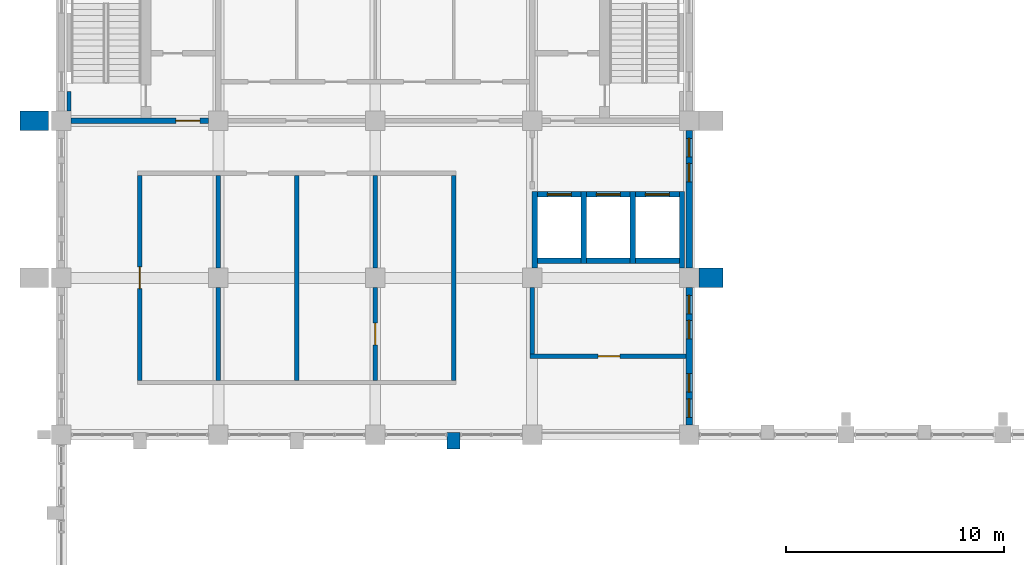
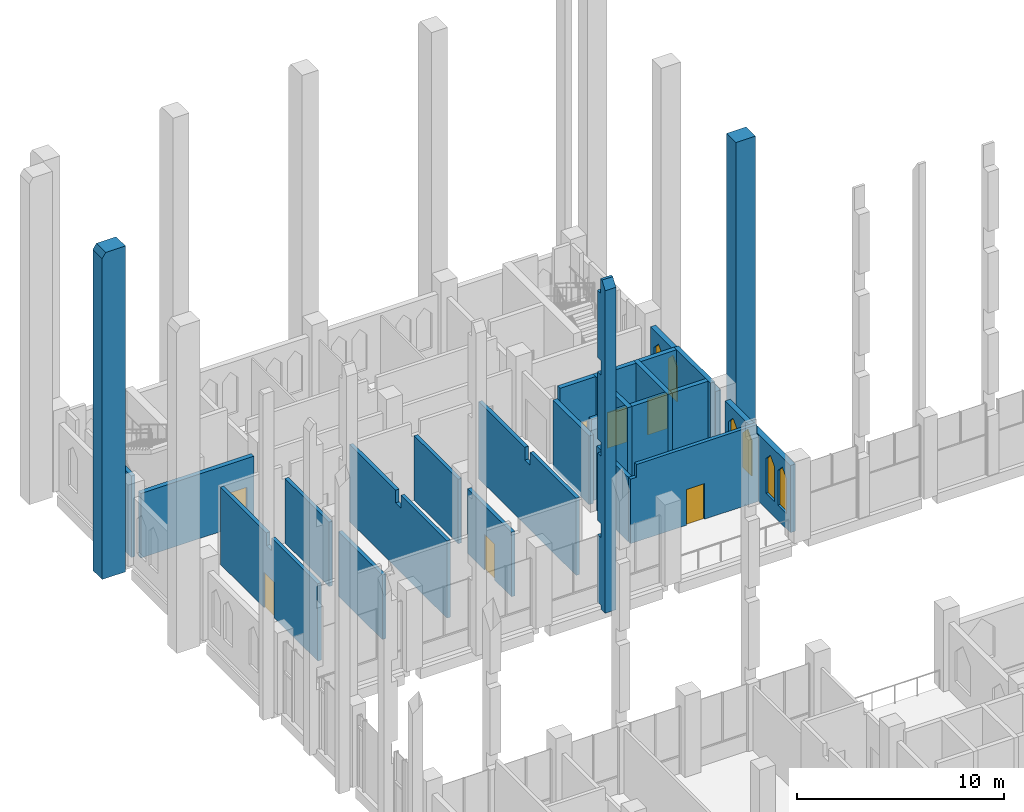
# One storey, part 31 of 40: 26 walls, 7 doors, 6 windows, 13 openings.
"""IFC4 building model written with IfcOpenShell, lengths in metres."""

from ifc_helpers import new_model, si_unit, direction, frame, frame_2d, origin, place, context, subcontext, project, spatial, polyline, rectangle, outline, extrude, material, layer, layer_set, type_object, element, fill, save


model = new_model("IFC4")

# Units and contexts
model_context = context("Model", 3, precision=1e-05, world=origin(), true_north=direction((0.0, 1.0)))
body_context = subcontext(model_context, "Body", "Model", "MODEL_VIEW")
ifc_project = project(units=[si_unit("LENGTHUNIT", "METRE"), si_unit("AREAUNIT", "SQUARE_METRE"), si_unit("VOLUMEUNIT", "CUBIC_METRE"), si_unit("PLANEANGLEUNIT", "RADIAN"), si_unit("MASSUNIT", "GRAM", prefix="KILO")], contexts=[model_context])

# Site, building, storey
site_placement = place(None, origin())
site = spatial("IfcSite", under=ifc_project, at=site_placement, CompositionType="ELEMENT")
building_placement = place(site_placement, origin())
building = spatial("IfcBuilding", under=site, at=building_placement, Name="Silangan Lancet Faculty of Sciences", CompositionType="ELEMENT")
storey_placement = place(building_placement, frame((0.0, 0.0, 21.60009765625)))
storey = spatial("IfcBuildingStorey", under=building, at=storey_placement, Name="L04", CompositionType="ELEMENT", Elevation=21.60009765625)

# Wall, openings, windows
ifc_material_1 = material(Name="Concrete C40/50 precast", Category="concrete")
ifc_layer_1 = layer(ifc_material_1, 0.300048828125)
ifc_layer_set_1 = layer_set([ifc_layer_1], Name="Concrete C40/50 precast")
wall_type_1 = type_object("IfcWallType", Name="EW1 Precast cladding wall", PredefinedType="STANDARD", material=ifc_layer_set_1)
wall_1_placement = place(storey_placement, frame((28.800048828125, 36.449951171875, 0.0), z_axis=(0.0, 0.0, 1.0), x_axis=(0.0, 1.0, 0.0)))
wall_1 = element("IfcWall", 1, at=wall_1_placement, inside=storey, type_object=wall_type_1, Name="EW-L04-E-NT-00", PredefinedType="STANDARD", context=body_context, shape_type="SweptSolid", body=[
    extrude(rectangle(XDim=6.300048828125, YDim=0.300048828125, at=frame_2d((3.14990234375, 0.0))), origin(), (0.0, 0.0, 1.0), 3.949951171875),
])
opening_1_placement = place(wall_1_placement, frame((0.35009765625, 0.0, 0.89990234375)))
opening_1 = element("IfcOpeningElement", 2, at=opening_1_placement, cuts=wall_1, Name="Opening W14", PredefinedType="OPENING", context=body_context, shape_type="SweptSolid", body=[
    extrude(outline(polyline([(0.0, 0.0), (0.85009765625, 0.0), (0.85009765625, 2.050048828125), (0.425048828125, 2.5), (0.0, 2.050048828125), (0.0, 0.0)])), frame((0.0, 0.159912109375, 0.0), z_axis=(0.0, -1.0, 0.0), x_axis=(1.0, 0.0, 0.0)), (0.0, 0.0, 1.0), 0.320068359375),
])
opening_2_placement = place(wall_1_placement, frame((1.5, 0.0, 0.89990234375)))
opening_2 = element("IfcOpeningElement", 3, at=opening_2_placement, cuts=wall_1, Name="Opening W14", PredefinedType="OPENING", context=body_context, shape_type="SweptSolid", body=[
    extrude(outline(polyline([(0.0, 0.0), (0.85009765625, 0.0), (0.85009765625, 2.050048828125), (0.425048828125, 2.5), (0.0, 2.050048828125), (0.0, 0.0)])), frame((0.0, 0.159912109375, 0.0), z_axis=(0.0, -1.0, 0.0), x_axis=(1.0, 0.0, 0.0)), (0.0, 0.0, 1.0), 0.320068359375),
])
opening_3_placement = place(wall_1_placement, frame((3.949951171875, 0.0, 0.89990234375)))
opening_3 = element("IfcOpeningElement", 4, at=opening_3_placement, cuts=wall_1, Name="Opening W14", PredefinedType="OPENING", context=body_context, shape_type="SweptSolid", body=[
    extrude(outline(polyline([(0.0, 0.0), (0.85009765625, 0.0), (0.85009765625, 2.050048828125), (0.425048828125, 2.5), (0.0, 2.050048828125), (0.0, 0.0)])), frame((0.0, 0.159912109375, 0.0), z_axis=(0.0, -1.0, 0.0), x_axis=(1.0, 0.0, 0.0)), (0.0, 0.0, 1.0), 0.320068359375),
])
opening_4_placement = place(wall_1_placement, frame((5.10009765625, 0.0, 0.89990234375)))
opening_4 = element("IfcOpeningElement", 5, at=opening_4_placement, cuts=wall_1, Name="Opening W14", PredefinedType="OPENING", context=body_context, shape_type="SweptSolid", body=[
    extrude(outline(polyline([(0.0, 0.0), (0.85009765625, 0.0), (0.85009765625, 2.050048828125), (0.425048828125, 2.5), (0.0, 2.050048828125), (0.0, 0.0)])), frame((0.0, 0.159912109375, 0.0), z_axis=(0.0, -1.0, 0.0), x_axis=(1.0, 0.0, 0.0)), (0.0, 0.0, 1.0), 0.320068359375),
])
ifc_material_2 = material(Name="Aluminium frame, laminated double glazing", Category="aluminium")
window_type = type_object("IfcWindowType", Name="W14 Lancet window 850 x 2500", PartitioningType="SINGLE_PANEL", PredefinedType="WINDOW", material=ifc_material_2)
window_1_placement = place(opening_1_placement, origin())
window_1 = element("IfcWindow", 6, at=window_1_placement, inside=storey, type_object=window_type, Name="WIN-L04-E-NT-00a1", OverallHeight=2.5, OverallWidth=0.85009765625, PartitioningType="SINGLE_PANEL", PredefinedType="WINDOW", context=body_context, shape_type="SweptSolid", body=[
    extrude(outline(polyline([(0.0, 0.0), (0.85009765625, 0.0), (0.85009765625, 2.050048828125), (0.425048828125, 2.5), (0.0, 2.050048828125), (0.0, 0.0)])), frame((0.0, 0.030029296875, 0.0), z_axis=(0.0, -1.0, 0.0), x_axis=(1.0, 0.0, 0.0)), (0.0, 0.0, 1.0), 0.06005859375),
])
fill(opening_1, window_1)
window_2_placement = place(opening_2_placement, origin())
window_2 = element("IfcWindow", 7, at=window_2_placement, inside=storey, type_object=window_type, Name="WIN-L04-E-NT-00a2", OverallHeight=2.5, OverallWidth=0.85009765625, PartitioningType="SINGLE_PANEL", PredefinedType="WINDOW", context=body_context, shape_type="SweptSolid", body=[
    extrude(outline(polyline([(0.0, 0.0), (0.85009765625, 0.0), (0.85009765625, 2.050048828125), (0.425048828125, 2.5), (0.0, 2.050048828125), (0.0, 0.0)])), frame((0.0, 0.030029296875, 0.0), z_axis=(0.0, -1.0, 0.0), x_axis=(1.0, 0.0, 0.0)), (0.0, 0.0, 1.0), 0.06005859375),
])
fill(opening_2, window_2)
window_3_placement = place(opening_3_placement, origin())
window_3 = element("IfcWindow", 8, at=window_3_placement, inside=storey, type_object=window_type, Name="WIN-L04-E-NT-00b1", OverallHeight=2.5, OverallWidth=0.85009765625, PartitioningType="SINGLE_PANEL", PredefinedType="WINDOW", context=body_context, shape_type="SweptSolid", body=[
    extrude(outline(polyline([(0.0, 0.0), (0.85009765625, 0.0), (0.85009765625, 2.050048828125), (0.425048828125, 2.5), (0.0, 2.050048828125), (0.0, 0.0)])), frame((0.0, 0.030029296875, 0.0), z_axis=(0.0, -1.0, 0.0), x_axis=(1.0, 0.0, 0.0)), (0.0, 0.0, 1.0), 0.06005859375),
])
fill(opening_3, window_3)
window_4_placement = place(opening_4_placement, origin())
window_4 = element("IfcWindow", 9, at=window_4_placement, inside=storey, type_object=window_type, Name="WIN-L04-E-NT-00b2", OverallHeight=2.5, OverallWidth=0.85009765625, PartitioningType="SINGLE_PANEL", PredefinedType="WINDOW", context=body_context, shape_type="SweptSolid", body=[
    extrude(outline(polyline([(0.0, 0.0), (0.85009765625, 0.0), (0.85009765625, 2.050048828125), (0.425048828125, 2.5), (0.0, 2.050048828125), (0.0, 0.0)])), frame((0.0, 0.030029296875, 0.0), z_axis=(0.0, -1.0, 0.0), x_axis=(1.0, 0.0, 0.0)), (0.0, 0.0, 1.0), 0.06005859375),
])
fill(opening_4, window_4)

wall_2_placement = place(storey_placement, frame((28.800048828125, 43.64990234375, 0.0), z_axis=(0.0, 0.0, 1.0), x_axis=(0.0, 1.0, 0.0)))
wall_2 = element("IfcWall", 10, at=wall_2_placement, inside=storey, type_object=wall_type_1, Name="EW-L04-E-NT-01", PredefinedType="STANDARD", context=body_context, shape_type="SweptSolid", body=[
    extrude(rectangle(XDim=6.300048828125, YDim=0.300048828125, at=frame_2d((3.14990234375, 0.0))), origin(), (0.0, 0.0, 1.0), 3.949951171875),
])
opening_5_placement = place(wall_2_placement, frame((3.949951171875, 0.0, 0.89990234375)))
opening_5 = element("IfcOpeningElement", 11, at=opening_5_placement, cuts=wall_2, Name="Opening W14", PredefinedType="OPENING", context=body_context, shape_type="SweptSolid", body=[
    extrude(outline(polyline([(0.0, 0.0), (0.85009765625, 0.0), (0.85009765625, 2.050048828125), (0.425048828125, 2.5), (0.0, 2.050048828125), (0.0, 0.0)])), frame((0.0, 0.159912109375, 0.0), z_axis=(0.0, -1.0, 0.0), x_axis=(1.0, 0.0, 0.0)), (0.0, 0.0, 1.0), 0.320068359375),
])
opening_6_placement = place(wall_2_placement, frame((5.10009765625, 0.0, 0.89990234375)))
opening_6 = element("IfcOpeningElement", 12, at=opening_6_placement, cuts=wall_2, Name="Opening W14", PredefinedType="OPENING", context=body_context, shape_type="SweptSolid", body=[
    extrude(outline(polyline([(0.0, 0.0), (0.85009765625, 0.0), (0.85009765625, 2.050048828125), (0.425048828125, 2.5), (0.0, 2.050048828125), (0.0, 0.0)])), frame((0.0, 0.159912109375, 0.0), z_axis=(0.0, -1.0, 0.0), x_axis=(1.0, 0.0, 0.0)), (0.0, 0.0, 1.0), 0.320068359375),
])
window_5_placement = place(opening_5_placement, origin())
window_5 = element("IfcWindow", 13, at=window_5_placement, inside=storey, type_object=window_type, Name="WIN-L04-E-NT-01b1", OverallHeight=2.5, OverallWidth=0.85009765625, PartitioningType="SINGLE_PANEL", PredefinedType="WINDOW", context=body_context, shape_type="SweptSolid", body=[
    extrude(outline(polyline([(0.0, 0.0), (0.85009765625, 0.0), (0.85009765625, 2.050048828125), (0.425048828125, 2.5), (0.0, 2.050048828125), (0.0, 0.0)])), frame((0.0, 0.030029296875, 0.0), z_axis=(0.0, -1.0, 0.0), x_axis=(1.0, 0.0, 0.0)), (0.0, 0.0, 1.0), 0.06005859375),
])
fill(opening_5, window_5)
window_6_placement = place(opening_6_placement, origin())
window_6 = element("IfcWindow", 14, at=window_6_placement, inside=storey, type_object=window_type, Name="WIN-L04-E-NT-01b2", OverallHeight=2.5, OverallWidth=0.85009765625, PartitioningType="SINGLE_PANEL", PredefinedType="WINDOW", context=body_context, shape_type="SweptSolid", body=[
    extrude(outline(polyline([(0.0, 0.0), (0.85009765625, 0.0), (0.85009765625, 2.050048828125), (0.425048828125, 2.5), (0.0, 2.050048828125), (0.0, 0.0)])), frame((0.0, 0.030029296875, 0.0), z_axis=(0.0, -1.0, 0.0), x_axis=(1.0, 0.0, 0.0)), (0.0, 0.0, 1.0), 0.06005859375),
])
fill(opening_6, window_6)

# Walls
ifc_material_3 = material(Name="Concrete C40/50 precast", Category="concrete")
ifc_layer_2 = layer(ifc_material_3, 0.89990234375)
ifc_layer_set_2 = layer_set([ifc_layer_2], Name="Concrete C40/50 precast")
wall_type_2 = type_object("IfcWallType", Name="FN26 Buttress Fin column line stage 2 19200", PredefinedType="POLYGONAL", material=ifc_layer_set_2)
wall_3_placement = place(storey_placement, frame((-0.60009765625, 50.39990234375, -0.25), z_axis=(0.0, 0.0, 1.0), x_axis=(-1.0, 0.0, 0.0)))
element("IfcWall", 15, at=wall_3_placement, inside=storey, type_object=wall_type_2, Name="FINC-W-NT-02-S2", PredefinedType="POLYGONAL", context=body_context, shape_type="SweptSolid", body=[
    extrude(outline(polyline([(1.300048828125, 0.0), (1.300048828125, 18.89990234375), (1.10009765625, 19.199951171875), (0.0, 19.199951171875), (0.0, 0.0), (1.300048828125, 0.0)])), frame((0.0, 0.449951171875, 0.0), z_axis=(0.0, -1.0, 0.0), x_axis=(1.0, 0.0, 0.0)), (0.0, 0.0, 1.0), 0.89990234375),
])
ifc_material_4 = material(Name="Concrete C40/50 precast", Category="concrete")
ifc_layer_3 = layer(ifc_material_4, 0.60009765625)
ifc_layer_set_3 = layer_set([ifc_layer_3], Name="Concrete C40/50 precast")
wall_type_3 = type_object("IfcWallType", Name="FN4 Buttress Fin mid-bay stage 2 19450", PredefinedType="POLYGONAL", material=ifc_layer_set_3)
wall_4_placement = place(storey_placement, frame((18.0, 36.10009765625, -0.25), z_axis=(0.0, 0.0, 1.0), x_axis=(0.0, -1.0, 0.0)))
element("IfcWall", 16, at=wall_4_placement, inside=storey, type_object=wall_type_3, Name="FIN-ATR-NT-5-S2", PredefinedType="POLYGONAL", context=body_context, shape_type="SweptSolid", body=[
    extrude(outline(polyline([(0.75, 0.0), (0.75, 19.0), (0.449951171875, 19.449951171875), (0.300048828125, 19.449951171875), (0.300048828125, 18.599853515625), (0.0, 18.599853515625), (0.0, 14.64990234375), (0.35009765625, 14.64990234375), (0.35009765625, 13.7998046875), (0.0, 13.7998046875), (0.0, 9.849853515625), (0.35009765625, 9.849853515625), (0.35009765625, 9.0), (0.0, 9.0), (0.0, 5.0498046875), (0.35009765625, 5.0498046875), (0.35009765625, 4.199951171875), (0.0, 4.199951171875), (0.0, 0.25), (0.35009765625, 0.25), (0.35009765625, 0.0), (0.75, 0.0)])), frame((0.0, 0.300048828125, 0.0), z_axis=(0.0, -1.0, 0.0), x_axis=(1.0, 0.0, 0.0)), (0.0, 0.0, 1.0), 0.60009765625),
])
ifc_material_5 = material(Name="Concrete C40/50 precast", Category="concrete")
ifc_layer_4 = layer(ifc_material_5, 0.89990234375)
ifc_layer_set_4 = layer_set([ifc_layer_4], Name="Concrete C40/50 precast")
wall_type_4 = type_object("IfcWallType", Name="FN47 Buttress Fin column line stage 2 19200", PredefinedType="POLYGONAL", material=ifc_layer_set_4)
wall_5_placement = place(storey_placement, frame((29.25, 43.199951171875, -0.25), z_axis=(0.0, 0.0, 1.0), x_axis=(1.0, 0.0, 0.0)))
element("IfcWall", 17, at=wall_5_placement, inside=storey, type_object=wall_type_4, Name="FINC-E-NT-02-S2", PredefinedType="POLYGONAL", context=body_context, shape_type="SweptSolid", body=[
    extrude(outline(polyline([(1.10009765625, 0.0), (1.10009765625, 19.199951171875), (0.0, 19.199951171875), (0.0, 0.0), (1.10009765625, 0.0)])), frame((0.0, 0.449951171875, 0.0), z_axis=(0.0, -1.0, 0.0), x_axis=(1.0, 0.0, 0.0)), (0.0, 0.0, 1.0), 0.89990234375),
])

# Wall, opening, door
ifc_material_6 = material(Name="Hollow block masonry fm 7 MPa", Category="masonry")
ifc_layer_5 = layer(ifc_material_6, 0.199951171875)
ifc_layer_set_5 = layer_set([ifc_layer_5], Name="Hollow block masonry fm 7 MPa")
wall_type_5 = type_object("IfcWallType", Name="Interior wall PW1 Corridor wall CHB 200", PredefinedType="PARTITIONING", material=ifc_layer_set_5)
wall_6_placement = place(storey_placement, frame((21.5, 39.60009765625, 0.0), z_axis=(0.0, 0.0, 1.0), x_axis=(1.0, 0.0, 0.0)))
wall_6 = element("IfcWall", 18, at=wall_6_placement, inside=storey, type_object=wall_type_5, Name="Corridor wall CHB 200", PredefinedType="PARTITIONING", context=body_context, shape_type="SweptSolid", body=[
    extrude(outline(polyline([(0.0, 0.0), (7.14990234375, 0.0), (7.14990234375, 3.949951171875), (7.050048828125, 3.949951171875), (7.050048828125, 4.5498046875), (0.35009765625, 4.5498046875), (0.35009765625, 3.7998046875), (0.0, 3.7998046875), (0.0, 0.0)])), frame((0.0, 0.10009765625, 0.0), z_axis=(0.0, -1.0, 0.0), x_axis=(1.0, 0.0, 0.0)), (0.0, 0.0, 1.0), 0.199951171875),
])
opening_7_placement = place(wall_6_placement, frame((3.125, 0.0, 0.0)))
opening_7 = element("IfcOpeningElement", 19, at=opening_7_placement, cuts=wall_6, Name="Opening L04-029", PredefinedType="OPENING", context=body_context, shape_type="SweptSolid", body=[
    extrude(rectangle(XDim=1.0, YDim=2.10009765625, at=frame_2d((0.5, 1.050048828125))), frame((0.0, 0.10986328125, 0.0), z_axis=(0.0, -1.0, 0.0), x_axis=(1.0, 0.0, 0.0)), (0.0, 0.0, 1.0), 0.219970703125),
])
ifc_material_7 = material(Name="Steel fire door set", Category="steel")
door_type_1 = type_object("IfcDoorType", Name="Door D1 Single leaf fire door 1000 x 2100", OperationType="SINGLE_SWING_LEFT", PredefinedType="DOOR", material=ifc_material_7)
door_1_placement = place(opening_7_placement, origin())
door_1 = element("IfcDoor", 20, at=door_1_placement, inside=storey, type_object=door_type_1, Name="Single leaf fire door 1000 x 2100", OperationType="SINGLE_SWING_LEFT", OverallHeight=2.10009765625, OverallWidth=1.0, PredefinedType="DOOR", context=body_context, shape_type="SweptSolid", body=[
    extrude(rectangle(XDim=1.0, YDim=2.10009765625, at=frame_2d((0.5, 1.050048828125))), frame((0.0, 0.02490234375, 0.0), z_axis=(0.0, -1.0, 0.0), x_axis=(1.0, 0.0, 0.0)), (0.0, 0.0, 1.0), 0.050048828125),
])
fill(opening_7, door_1)

wall_7_placement = place(storey_placement, frame((3.60009765625, 38.5, 0.0), z_axis=(0.0, 0.0, 1.0), x_axis=(0.0, 1.0, 0.0)))
wall_7 = element("IfcWall", 21, at=wall_7_placement, inside=storey, type_object=wall_type_5, Name="Corridor wall CHB 200", PredefinedType="PARTITIONING", context=body_context, shape_type="SweptSolid", body=[
    extrude(outline(polyline([(0.0, 0.0), (9.39990234375, 0.0), (9.39990234375, 4.5498046875), (4.949951171875, 4.5498046875), (4.949951171875, 3.7998046875), (4.449951171875, 3.7998046875), (4.449951171875, 4.5498046875), (0.0, 4.5498046875), (0.0, 0.0)])), frame((0.0, 0.10009765625, 0.0), z_axis=(0.0, -1.0, 0.0), x_axis=(1.0, 0.0, 0.0)), (0.0, 0.0, 1.0), 0.199951171875),
])
opening_8_placement = place(wall_7_placement, frame((4.199951171875, 0.0, 0.0)))
opening_8 = element("IfcOpeningElement", 22, at=opening_8_placement, cuts=wall_7, Name="Opening L04-025", PredefinedType="OPENING", context=body_context, shape_type="SweptSolid", body=[
    extrude(rectangle(XDim=1.0, YDim=2.10009765625, at=frame_2d((0.5, 1.050048828125))), frame((0.0, 0.10986328125, 0.0), z_axis=(0.0, -1.0, 0.0), x_axis=(1.0, 0.0, 0.0)), (0.0, 0.0, 1.0), 0.219970703125),
])
door_2_placement = place(opening_8_placement, frame((1.0, 0.0, 0.0), z_axis=(0.0, 0.0, 1.0), x_axis=(-1.0, 0.0, 0.0)))
door_2 = element("IfcDoor", 23, at=door_2_placement, inside=storey, type_object=door_type_1, Name="Single leaf fire door 1000 x 2100", OperationType="SINGLE_SWING_RIGHT", OverallHeight=2.10009765625, OverallWidth=1.0, PredefinedType="DOOR", context=body_context, shape_type="SweptSolid", body=[
    extrude(rectangle(XDim=1.0, YDim=2.10009765625, at=frame_2d((0.5, 1.050048828125))), frame((0.0, 0.025146484375, 0.0), z_axis=(0.0, -1.0, 0.0), x_axis=(1.0, 0.0, 0.0)), (0.0, 0.0, 1.0), 0.050048828125),
])
fill(opening_8, door_2)

# Walls
wall_8_placement = place(storey_placement, frame((18.0, 38.5, 0.0), z_axis=(0.0, 0.0, 1.0), x_axis=(0.0, 1.0, 0.0)))
element("IfcWall", 24, at=wall_8_placement, inside=storey, type_object=wall_type_5, Name="Corridor wall CHB 200", PredefinedType="PARTITIONING", context=body_context, shape_type="SweptSolid", body=[
    extrude(outline(polyline([(0.0, 0.0), (9.39990234375, 0.0), (9.39990234375, 4.5498046875), (4.949951171875, 4.5498046875), (4.949951171875, 3.7998046875), (4.449951171875, 3.7998046875), (4.449951171875, 4.5498046875), (0.0, 4.5498046875), (0.0, 0.0)])), frame((0.0, 0.10009765625, 0.0), z_axis=(0.0, -1.0, 0.0), x_axis=(1.0, 0.0, 0.0)), (0.0, 0.0, 1.0), 0.199951171875),
])
wall_9_placement = place(storey_placement, frame((21.60009765625, 39.699951171875, 0.0), z_axis=(0.0, 0.0, 1.0), x_axis=(0.0, 1.0, 0.0)))
element("IfcWall", 25, at=wall_9_placement, inside=storey, type_object=wall_type_5, Name="Corridor wall CHB 200", PredefinedType="PARTITIONING", context=body_context, shape_type="SweptSolid", body=[
    extrude(rectangle(XDim=3.050048828125, YDim=0.199951171875, at=frame_2d((1.52490234375, 0.0))), origin(), (0.0, 0.0, 1.0), 3.7998046875),
])
ifc_material_8 = material(Name="Hollow block masonry fm 7 MPa", Category="masonry")
ifc_layer_6 = layer(ifc_material_8, 0.199951171875)
ifc_layer_set_6 = layer_set([ifc_layer_6], Name="Hollow block masonry fm 7 MPa")
wall_type_6 = type_object("IfcWallType", Name="Interior wall PW4 Laboratory separation CHB 200", PredefinedType="PARTITIONING", material=ifc_layer_set_6)
for number, where, z_axis, x_axis, name in (
    (26, (7.199951171875, 38.5, 0.0), (0.0, 0.0, 1.0), (0.0, 1.0, 0.0), "Laboratory separation CHB 200"),
    (27, (7.199951171875, 43.64990234375, 0.0), (0.0, 0.0, 1.0), (0.0, 1.0, 0.0), "Laboratory separation CHB 200"),
):
    element("IfcWall", number, at=place(storey_placement, frame(where, z_axis=z_axis, x_axis=x_axis)), inside=storey, type_object=wall_type_6, Name=name, PredefinedType="PARTITIONING", context=body_context, shape_type="SweptSolid", body=[
        extrude(rectangle(XDim=4.25, YDim=0.199951171875, at=frame_2d((2.125, 0.0))), origin(), (0.0, 0.0, 1.0), 3.7998046875),
    ])
wall_10_placement = place(storey_placement, frame((10.800048828125, 38.5, 0.0), z_axis=(0.0, 0.0, 1.0), x_axis=(0.0, 1.0, 0.0)))
element("IfcWall", 28, at=wall_10_placement, inside=storey, type_object=wall_type_6, Name="Laboratory separation CHB 200", PredefinedType="PARTITIONING", context=body_context, shape_type="SweptSolid", body=[
    extrude(outline(polyline([(0.0, 0.0), (9.39990234375, 0.0), (9.39990234375, 4.5498046875), (4.949951171875, 4.5498046875), (4.949951171875, 3.7998046875), (4.449951171875, 3.7998046875), (4.449951171875, 4.5498046875), (0.0, 4.5498046875), (0.0, 0.0)])), frame((0.0, 0.10009765625, 0.0), z_axis=(0.0, -1.0, 0.0), x_axis=(1.0, 0.0, 0.0)), (0.0, 0.0, 1.0), 0.199951171875),
])

# Wall, opening, door
wall_11_placement = place(storey_placement, frame((14.39990234375, 38.5, 0.0), z_axis=(0.0, 0.0, 1.0), x_axis=(0.0, 1.0, 0.0)))
wall_11 = element("IfcWall", 29, at=wall_11_placement, inside=storey, type_object=wall_type_6, Name="Laboratory separation CHB 200", PredefinedType="PARTITIONING", context=body_context, shape_type="SweptSolid", body=[
    extrude(rectangle(XDim=4.25, YDim=0.199951171875, at=frame_2d((2.125, 0.0))), origin(), (0.0, 0.0, 1.0), 3.7998046875),
])
opening_9_placement = place(wall_11_placement, frame((1.625, 0.0, 0.0)))
opening_9 = element("IfcOpeningElement", 30, at=opening_9_placement, cuts=wall_11, Name="Opening L04-028", PredefinedType="OPENING", context=body_context, shape_type="SweptSolid", body=[
    extrude(rectangle(XDim=1.0, YDim=2.10009765625, at=frame_2d((0.5, 1.050048828125))), frame((0.0, 0.10986328125, 0.0), z_axis=(0.0, -1.0, 0.0), x_axis=(1.0, 0.0, 0.0)), (0.0, 0.0, 1.0), 0.219970703125),
])
door_3_placement = place(opening_9_placement, frame((1.0, 0.0, 0.0), z_axis=(0.0, 0.0, 1.0), x_axis=(-1.0, 0.0, 0.0)))
door_3 = element("IfcDoor", 31, at=door_3_placement, inside=storey, type_object=door_type_1, Name="Single leaf fire door 1000 x 2100", OperationType="SINGLE_SWING_LEFT", OverallHeight=2.10009765625, OverallWidth=1.0, PredefinedType="DOOR", context=body_context, shape_type="SweptSolid", body=[
    extrude(rectangle(XDim=1.0, YDim=2.10009765625, at=frame_2d((0.5, 1.050048828125))), frame((0.0, 0.025146484375, 0.0), z_axis=(0.0, -1.0, 0.0), x_axis=(1.0, 0.0, 0.0)), (0.0, 0.0, 1.0), 0.050048828125),
])
fill(opening_9, door_3)

# Walls
wall_12_placement = place(storey_placement, frame((14.39990234375, 43.64990234375, 0.0), z_axis=(0.0, 0.0, 1.0), x_axis=(0.0, 1.0, 0.0)))
element("IfcWall", 32, at=wall_12_placement, inside=storey, type_object=wall_type_6, Name="Laboratory separation CHB 200", PredefinedType="PARTITIONING", context=body_context, shape_type="SweptSolid", body=[
    extrude(rectangle(XDim=4.25, YDim=0.199951171875, at=frame_2d((2.125, 0.0))), origin(), (0.0, 0.0, 1.0), 3.7998046875),
])
ifc_material_9 = material(Name="Concrete C40/50", Category="concrete")
ifc_layer_7 = layer(ifc_material_9, 0.25)
ifc_layer_set_7 = layer_set([ifc_layer_7], Name="Concrete C40/50")
wall_type_7 = type_object("IfcWallType", Name="LIFT SHAFT WALL RC 250", PredefinedType="SHEAR", material=ifc_layer_set_7)
wall_13_placement = place(storey_placement, frame((21.72509765625, 43.64990234375, -0.25), z_axis=(0.0, 0.0, 1.0), x_axis=(0.0, 1.0, 0.0)))
element("IfcWall", 33, at=wall_13_placement, inside=storey, type_object=wall_type_7, Name="WALL-L04-NT-SW1", PredefinedType="SHEAR", context=body_context, shape_type="SweptSolid", body=[
    extrude(rectangle(XDim=3.5, YDim=0.25, at=frame_2d((1.75, 0.0))), origin(), (0.0, 0.0, 1.0), 4.0498046875),
])
for number, where, z_axis, x_axis, name in (
    (34, (23.97509765625, 43.85009765625, -0.25), (0.0, 0.0, 1.0), (0.0, 1.0, 0.0), "WALL-L04-NT-SW2"),
    (35, (26.22509765625, 43.85009765625, -0.25), (0.0, 0.0, 1.0), (0.0, 1.0, 0.0), "WALL-L04-NT-SW3"),
):
    element("IfcWall", number, at=place(storey_placement, frame(where, z_axis=z_axis, x_axis=x_axis)), inside=storey, type_object=wall_type_7, Name=name, PredefinedType="SHEAR", context=body_context, shape_type="SweptSolid", body=[
        extrude(rectangle(XDim=3.2998046875, YDim=0.25, at=frame_2d((1.64990234375, 0.0))), origin(), (0.0, 0.0, 1.0), 4.7998046875),
    ])
wall_14_placement = place(storey_placement, frame((28.47509765625, 43.64990234375, -0.25), z_axis=(0.0, 0.0, 1.0), x_axis=(0.0, 1.0, 0.0)))
element("IfcWall", 36, at=wall_14_placement, inside=storey, type_object=wall_type_7, Name="WALL-L04-NT-SW4", PredefinedType="SHEAR", context=body_context, shape_type="SweptSolid", body=[
    extrude(rectangle(XDim=3.5, YDim=0.25, at=frame_2d((1.75, 0.0))), origin(), (0.0, 0.0, 1.0), 4.7998046875),
])

# Wall, opening, door
wall_15_placement = place(storey_placement, frame((21.85009765625, 47.02490234375, -0.25), z_axis=(0.0, 0.0, 1.0), x_axis=(1.0, 0.0, 0.0)))
wall_15 = element("IfcWall", 37, at=wall_15_placement, inside=storey, type_object=wall_type_7, Name="WALL-L04-NT-L1-F", PredefinedType="SHEAR", context=body_context, shape_type="SweptSolid", body=[
    extrude(rectangle(XDim=2.0, YDim=0.25, at=frame_2d((1.0, 0.0))), origin(), (0.0, 0.0, 1.0), 4.7998046875),
])
opening_10_placement = place(wall_15_placement, frame((0.449951171875, 0.0, 0.25)))
opening_10 = element("IfcOpeningElement", 38, at=opening_10_placement, cuts=wall_15, Name="Opening L04-804", PredefinedType="OPENING", context=body_context, shape_type="SweptSolid", body=[
    extrude(rectangle(XDim=1.10009765625, YDim=2.10009765625, at=frame_2d((0.550048828125, 1.050048828125))), frame((0.0, 0.135009765625, 0.0), z_axis=(0.0, -1.0, 0.0), x_axis=(1.0, 0.0, 0.0)), (0.0, 0.0, 1.0), 0.27001953125),
])
ifc_material_10 = material(Name="Stainless steel sliding door", Category="steel")
door_type_2 = type_object("IfcDoorType", Name="LD1 Lift landing door 1100x2100", OperationType="SLIDING_TO_LEFT", PredefinedType="DOOR", material=ifc_material_10)
door_4_placement = place(opening_10_placement, origin())
door_4 = element("IfcDoor", 39, at=door_4_placement, inside=storey, type_object=door_type_2, Name="Landing door NT-L1 L04", OperationType="SLIDING_TO_LEFT", OverallHeight=2.10009765625, OverallWidth=1.10009765625, PredefinedType="DOOR", context=body_context, shape_type="SweptSolid", body=[
    extrude(rectangle(XDim=1.10009765625, YDim=2.10009765625, at=frame_2d((0.550048828125, 1.050048828125))), frame((0.0, 0.02490234375, 0.0), z_axis=(0.0, -1.0, 0.0), x_axis=(1.0, 0.0, 0.0)), (0.0, 0.0, 1.0), 0.050048828125),
])
fill(opening_10, door_4)

# Wall
wall_16_placement = place(storey_placement, frame((21.85009765625, 43.97509765625, -0.25), z_axis=(0.0, 0.0, 1.0), x_axis=(1.0, 0.0, 0.0)))
element("IfcWall", 40, at=wall_16_placement, inside=storey, type_object=wall_type_7, Name="WALL-L04-NT-L1-B", PredefinedType="SHEAR", context=body_context, shape_type="SweptSolid", body=[
    extrude(rectangle(XDim=2.0, YDim=0.25, at=frame_2d((1.0, 0.0))), origin(), (0.0, 0.0, 1.0), 4.7998046875),
])

# Wall, opening, door
wall_17_placement = place(storey_placement, frame((24.10009765625, 47.02490234375, -0.25), z_axis=(0.0, 0.0, 1.0), x_axis=(1.0, 0.0, 0.0)))
wall_17 = element("IfcWall", 41, at=wall_17_placement, inside=storey, type_object=wall_type_7, Name="WALL-L04-NT-L2-F", PredefinedType="SHEAR", context=body_context, shape_type="SweptSolid", body=[
    extrude(rectangle(XDim=2.0, YDim=0.25, at=frame_2d((1.0, 0.0))), origin(), (0.0, 0.0, 1.0), 4.7998046875),
])
opening_11_placement = place(wall_17_placement, frame((0.449951171875, 0.0, 0.25)))
opening_11 = element("IfcOpeningElement", 42, at=opening_11_placement, cuts=wall_17, Name="Opening L04-805", PredefinedType="OPENING", context=body_context, shape_type="SweptSolid", body=[
    extrude(rectangle(XDim=1.10009765625, YDim=2.10009765625, at=frame_2d((0.550048828125, 1.050048828125))), frame((0.0, 0.135009765625, 0.0), z_axis=(0.0, -1.0, 0.0), x_axis=(1.0, 0.0, 0.0)), (0.0, 0.0, 1.0), 0.27001953125),
])
door_5_placement = place(opening_11_placement, origin())
door_5 = element("IfcDoor", 43, at=door_5_placement, inside=storey, type_object=door_type_2, Name="Landing door NT-L2 L04", OperationType="SLIDING_TO_LEFT", OverallHeight=2.10009765625, OverallWidth=1.10009765625, PredefinedType="DOOR", context=body_context, shape_type="SweptSolid", body=[
    extrude(rectangle(XDim=1.10009765625, YDim=2.10009765625, at=frame_2d((0.550048828125, 1.050048828125))), frame((0.0, 0.02490234375, 0.0), z_axis=(0.0, -1.0, 0.0), x_axis=(1.0, 0.0, 0.0)), (0.0, 0.0, 1.0), 0.050048828125),
])
fill(opening_11, door_5)

# Wall
wall_18_placement = place(storey_placement, frame((24.10009765625, 43.97509765625, -0.25), z_axis=(0.0, 0.0, 1.0), x_axis=(1.0, 0.0, 0.0)))
element("IfcWall", 44, at=wall_18_placement, inside=storey, type_object=wall_type_7, Name="WALL-L04-NT-L2-B", PredefinedType="SHEAR", context=body_context, shape_type="SweptSolid", body=[
    extrude(rectangle(XDim=2.0, YDim=0.25, at=frame_2d((1.0, 0.0))), origin(), (0.0, 0.0, 1.0), 4.7998046875),
])

# Wall, opening, door
wall_19_placement = place(storey_placement, frame((26.35009765625, 47.02490234375, -0.25), z_axis=(0.0, 0.0, 1.0), x_axis=(1.0, 0.0, 0.0)))
wall_19 = element("IfcWall", 45, at=wall_19_placement, inside=storey, type_object=wall_type_7, Name="WALL-L04-NT-L3-F", PredefinedType="SHEAR", context=body_context, shape_type="SweptSolid", body=[
    extrude(rectangle(XDim=2.0, YDim=0.25, at=frame_2d((1.0, 0.0))), origin(), (0.0, 0.0, 1.0), 4.7998046875),
])
opening_12_placement = place(wall_19_placement, frame((0.449951171875, 0.0, 0.25)))
opening_12 = element("IfcOpeningElement", 46, at=opening_12_placement, cuts=wall_19, Name="Opening L04-806", PredefinedType="OPENING", context=body_context, shape_type="SweptSolid", body=[
    extrude(rectangle(XDim=1.10009765625, YDim=2.10009765625, at=frame_2d((0.550048828125, 1.050048828125))), frame((0.0, 0.135009765625, 0.0), z_axis=(0.0, -1.0, 0.0), x_axis=(1.0, 0.0, 0.0)), (0.0, 0.0, 1.0), 0.27001953125),
])
door_6_placement = place(opening_12_placement, origin())
door_6 = element("IfcDoor", 47, at=door_6_placement, inside=storey, type_object=door_type_2, Name="Landing door NT-L3 L04", OperationType="SLIDING_TO_LEFT", OverallHeight=2.10009765625, OverallWidth=1.10009765625, PredefinedType="DOOR", context=body_context, shape_type="SweptSolid", body=[
    extrude(rectangle(XDim=1.10009765625, YDim=2.10009765625, at=frame_2d((0.550048828125, 1.050048828125))), frame((0.0, 0.02490234375, 0.0), z_axis=(0.0, -1.0, 0.0), x_axis=(1.0, 0.0, 0.0)), (0.0, 0.0, 1.0), 0.050048828125),
])
fill(opening_12, door_6)

# Walls
wall_20_placement = place(storey_placement, frame((26.35009765625, 43.97509765625, -0.25), z_axis=(0.0, 0.0, 1.0), x_axis=(1.0, 0.0, 0.0)))
element("IfcWall", 48, at=wall_20_placement, inside=storey, type_object=wall_type_7, Name="WALL-L04-NT-L3-B", PredefinedType="SHEAR", context=body_context, shape_type="SweptSolid", body=[
    extrude(rectangle(XDim=2.0, YDim=0.25, at=frame_2d((1.0, 0.0))), origin(), (0.0, 0.0, 1.0), 4.7998046875),
])
ifc_material_11 = material(Name="Concrete C40/50", Category="concrete")
ifc_layer_8 = layer(ifc_material_11, 0.199951171875)
ifc_layer_set_8 = layer_set([ifc_layer_8], Name="Concrete C40/50")
wall_type_8 = type_object("IfcWallType", Name="TURRET LINING WALL RC 200", PredefinedType="SHEAR", material=ifc_layer_set_8)
wall_21_placement = place(storey_placement, frame((0.35009765625, 50.85009765625, -0.25), z_axis=(0.0, 0.0, 1.0), x_axis=(0.0, 1.0, 0.0)))
element("IfcWall", 49, at=wall_21_placement, inside=storey, type_object=wall_type_8, Name="WALL-L04-NT-A-WL", PredefinedType="SHEAR", context=body_context, shape_type="SweptSolid", body=[
    extrude(rectangle(XDim=0.89990234375, YDim=0.199951171875, at=frame_2d((0.449951171875, 0.0))), origin(), (0.0, 0.0, 1.0), 4.7998046875),
])

# Wall, opening, door
ifc_material_12 = material(Name="Concrete C40/50", Category="concrete")
ifc_layer_9 = layer(ifc_material_12, 0.25)
ifc_layer_set_9 = layer_set([ifc_layer_9], Name="Concrete C40/50")
wall_type_9 = type_object("IfcWallType", Name="TURRET WALL RC 250", PredefinedType="SHEAR", material=ifc_layer_set_9)
wall_22_placement = place(storey_placement, frame((0.449951171875, 50.39990234375, 0.0), z_axis=(0.0, 0.0, 1.0), x_axis=(1.0, 0.0, 0.0)))
wall_22 = element("IfcWall", 50, at=wall_22_placement, inside=storey, type_object=wall_type_9, Name="WALL-L04-NT-A-V", PredefinedType="SHEAR", context=body_context, shape_type="SweptSolid", body=[
    extrude(rectangle(XDim=6.300048828125, YDim=0.25, at=frame_2d((3.14990234375, 0.0))), origin(), (0.0, 0.0, 1.0), 3.7998046875),
])
opening_13_placement = place(wall_22_placement, frame((4.800048828125, 0.0, 0.0)))
opening_13 = element("IfcOpeningElement", 51, at=opening_13_placement, cuts=wall_22, Name="Opening L04-708", PredefinedType="OPENING", context=body_context, shape_type="SweptSolid", body=[
    extrude(rectangle(XDim=1.10009765625, YDim=2.10009765625, at=frame_2d((0.550048828125, 1.050048828125))), frame((0.0, 0.135009765625, 0.0), z_axis=(0.0, -1.0, 0.0), x_axis=(1.0, 0.0, 0.0)), (0.0, 0.0, 1.0), 0.27001953125),
])
ifc_material_13 = material(Name="Steel fire door set", Category="steel")
door_type_3 = type_object("IfcDoorType", Name="D70 Stair vestibule door 1100x2100", OperationType="SINGLE_SWING_LEFT", PredefinedType="DOOR", material=ifc_material_13)
door_7_placement = place(opening_13_placement, origin())
door_7 = element("IfcDoor", 52, at=door_7_placement, inside=storey, type_object=door_type_3, Name="Stair vestibule door NT-A L04", OperationType="SINGLE_SWING_RIGHT", OverallHeight=2.10009765625, OverallWidth=1.10009765625, PredefinedType="DOOR", context=body_context, shape_type="SweptSolid", body=[
    extrude(rectangle(XDim=1.10009765625, YDim=2.10009765625, at=frame_2d((0.550048828125, 1.050048828125))), frame((0.0, 0.02490234375, 0.0), z_axis=(0.0, -1.0, 0.0), x_axis=(1.0, 0.0, 0.0)), (0.0, 0.0, 1.0), 0.050048828125),
])
fill(opening_13, door_7)

save(model, "model.ifc")
